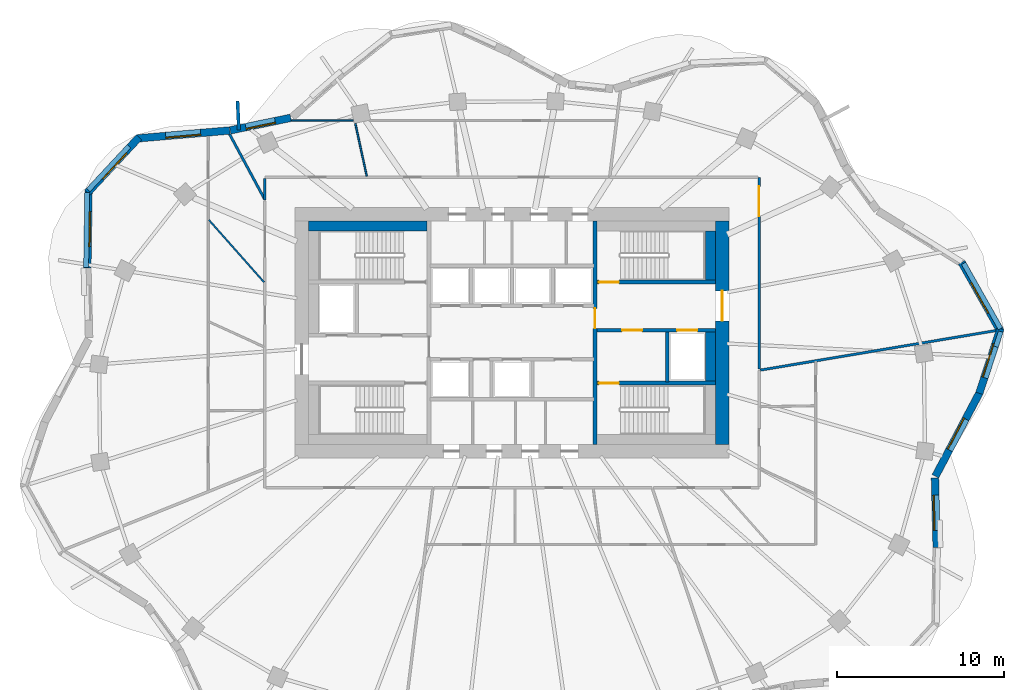
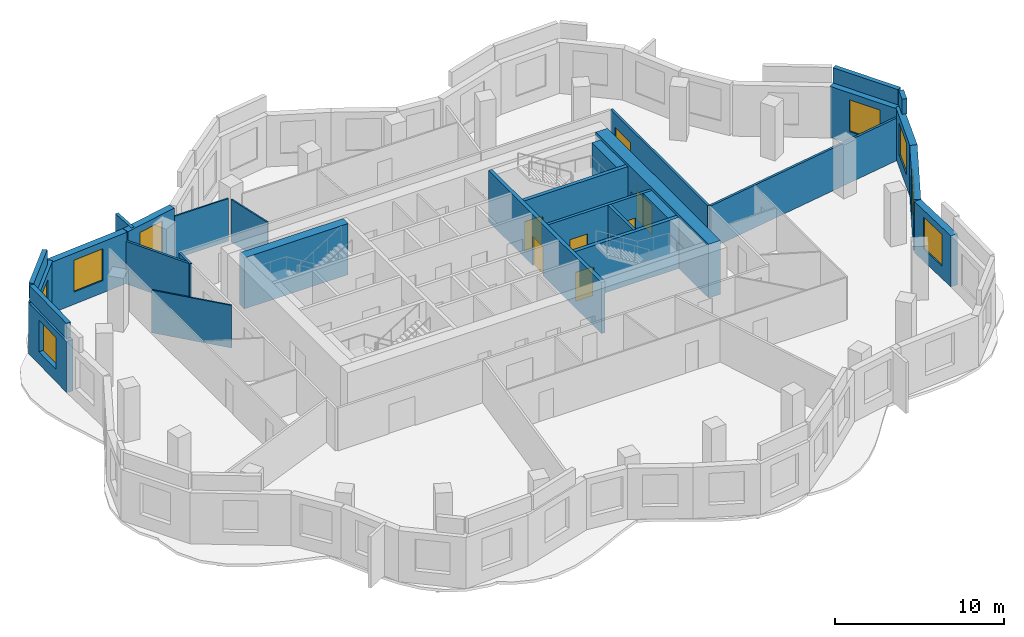
# One storey, part 6 of 9: 29 walls, 8 windows, 7 doors, 15 openings.
"""IFC4 building model written with IfcOpenShell, lengths in metres."""

from ifc_helpers import new_model, si_unit, direction, frame, frame_2d, origin, place, context, subcontext, project, spatial, rectangle, extrude, material, layer, layer_set, type_object, element, fill, save


model = new_model("IFC4")

# Units and contexts
model_context = context("Model", 3, precision=1e-05, world=origin(), true_north=direction((0.0, 1.0)))
body_context = subcontext(model_context, "Body", "Model", "MODEL_VIEW")
ifc_project = project(units=[si_unit("LENGTHUNIT", "METRE"), si_unit("AREAUNIT", "SQUARE_METRE"), si_unit("VOLUMEUNIT", "CUBIC_METRE"), si_unit("PLANEANGLEUNIT", "RADIAN"), si_unit("MASSUNIT", "GRAM", prefix="KILO")], contexts=[model_context])

# Site, building, storey
site_placement = place(None, origin())
site = spatial("IfcSite", under=ifc_project, at=site_placement, CompositionType="ELEMENT")
building_placement = place(site_placement, origin())
building = spatial("IfcBuilding", under=site, at=building_placement, Name="Rubra Terraces Tower", CompositionType="ELEMENT")
storey_placement = place(building_placement, frame((0.0, 0.0, 244.800048828125)))
storey = spatial("IfcBuildingStorey", under=building, at=storey_placement, Name="L60", CompositionType="ELEMENT", Elevation=244.800048828125)

# Wall, opening, window
ifc_material_1 = material(Name="Brick masonry red-brown", Category="masonry")
ifc_layer_1 = layer(ifc_material_1, 0.449951171875)
ifc_layer_set_1 = layer_set([ifc_layer_1], Name="Brick masonry red-brown")
wall_type_1 = type_object("IfcWallType", Name="Brick facade wall 450", PredefinedType="SOLIDWALL", material=ifc_layer_set_1)
wall_1_placement = place(storey_placement, frame((27.99462890625, 0.861083984375, 0.0), z_axis=(0.0, 0.0, 1.0), x_axis=(0.310693110673, 0.950510279261, 0.0)))
wall_1 = element("IfcWall", 1, at=wall_1_placement, inside=storey, type_object=wall_type_1, Name="Facade wall L60 bay 1", PredefinedType="SOLIDWALL", context=body_context, shape_type="SweptSolid", body=[
    extrude(rectangle(XDim=4.079833984375, YDim=0.449951171875, at=frame_2d((2.0400390625, 0.0))), origin(), (0.0, 0.0, 1.0), 3.699951171875),
])
opening_1_placement = place(wall_1_placement, frame((0.989990234375, 0.0, 0.89990234375)))
opening_1 = element("IfcOpeningElement", 2, at=opening_1_placement, cuts=wall_1, Name="Opening W1B", PredefinedType="OPENING", context=body_context, shape_type="SweptSolid", body=[
    extrude(rectangle(XDim=2.10009765625, YDim=2.300048828125, at=frame_2d((1.050048828125, 1.14990234375))), frame((0.0, 0.23486328125, 0.0), z_axis=(0.0, -1.0, 0.0), x_axis=(1.0, 0.0, 0.0)), (0.0, 0.0, 1.0), 0.469970703125),
])
ifc_material_2 = material(Name="Clear glass in aluminium frame", Category="aluminium")
window_type_1 = type_object("IfcWindowType", Name="Fixed deep-set window tall storey 2100 x 2300", PartitioningType="SINGLE_PANEL", PredefinedType="WINDOW", material=ifc_material_2)
window_1_placement = place(opening_1_placement, origin())
window_1 = element("IfcWindow", 3, at=window_1_placement, inside=storey, type_object=window_type_1, Name="Window L60 bay 1", OverallHeight=2.300048828125, OverallWidth=2.10009765625, PartitioningType="SINGLE_PANEL", PredefinedType="WINDOW", context=body_context, shape_type="SweptSolid", body=[
    extrude(rectangle(XDim=2.10009765625, YDim=2.300048828125, at=frame_2d((1.050048828125, 1.14990234375))), frame((0.0, 0.135009765625, 0.0), z_axis=(0.0, -1.0, 0.0), x_axis=(1.0, 0.0, 0.0)), (0.0, 0.0, 1.0), 0.06005859375),
])
fill(opening_1, window_1)

wall_2_placement = place(storey_placement, frame((29.280029296875, 4.558349609375, 0.0), z_axis=(0.0, 0.0, 1.0), x_axis=(-0.491511608999, 0.870871022723, 0.0)))
wall_2 = element("IfcWall", 4, at=wall_2_placement, inside=storey, type_object=wall_type_1, Name="Facade wall L60 bay 2", PredefinedType="SOLIDWALL", context=body_context, shape_type="SweptSolid", body=[
    extrude(rectangle(XDim=4.762939453125, YDim=0.449951171875, at=frame_2d((2.38134765625, 0.0))), origin(), (0.0, 0.0, 1.0), 3.699951171875),
])
opening_2_placement = place(wall_2_placement, frame((1.33154296875, 0.0, 0.89990234375)))
opening_2 = element("IfcOpeningElement", 5, at=opening_2_placement, cuts=wall_2, Name="Opening W1B", PredefinedType="OPENING", context=body_context, shape_type="SweptSolid", body=[
    extrude(rectangle(XDim=2.10009765625, YDim=2.300048828125, at=frame_2d((1.050048828125, 1.14990234375))), frame((0.0, 0.23486328125, 0.0), z_axis=(0.0, -1.0, 0.0), x_axis=(1.0, 0.0, 0.0)), (0.0, 0.0, 1.0), 0.469970703125),
])
window_2_placement = place(opening_2_placement, origin())
window_2 = element("IfcWindow", 6, at=window_2_placement, inside=storey, type_object=window_type_1, Name="Window L60 bay 2", OverallHeight=2.300048828125, OverallWidth=2.10009765625, PartitioningType="SINGLE_PANEL", PredefinedType="WINDOW", context=body_context, shape_type="SweptSolid", body=[
    extrude(rectangle(XDim=2.10009765625, YDim=2.300048828125, at=frame_2d((1.050048828125, 1.14990234375))), frame((0.0, 0.135009765625, 0.0), z_axis=(0.0, -1.0, 0.0), x_axis=(1.0, 0.0, 0.0)), (0.0, 0.0, 1.0), 0.06005859375),
])
fill(opening_2, window_2)

wall_3_placement = place(storey_placement, frame((-13.2578125, 17.3671875, 0.0), z_axis=(0.0, 0.0, 1.0), x_axis=(-0.97914968674, -0.203140077183, 0.0)))
wall_3 = element("IfcWall", 7, at=wall_3_placement, inside=storey, type_object=wall_type_1, Name="Facade wall L60 bay 15", PredefinedType="SOLIDWALL", context=body_context, shape_type="SweptSolid", body=[
    extrude(rectangle(XDim=3.700439453125, YDim=0.449951171875, at=frame_2d((1.85009765625, 0.0))), origin(), (0.0, 0.0, 1.0), 3.699951171875),
])
opening_3_placement = place(wall_3_placement, frame((0.9501953125, 0.0, 0.89990234375)))
opening_3 = element("IfcOpeningElement", 8, at=opening_3_placement, cuts=wall_3, Name="Opening W6B", PredefinedType="OPENING", context=body_context, shape_type="SweptSolid", body=[
    extrude(rectangle(XDim=1.800048828125, YDim=2.300048828125, at=frame_2d((0.89990234375, 1.14990234375))), frame((0.0, 0.23486328125, 0.0), z_axis=(0.0, -1.0, 0.0), x_axis=(1.0, 0.0, 0.0)), (0.0, 0.0, 1.0), 0.469970703125),
])
window_type_2 = type_object("IfcWindowType", Name="Fixed deep-set window at wind fin tall storey 1800 x 2300", PartitioningType="SINGLE_PANEL", PredefinedType="WINDOW", material=ifc_material_2)
window_3_placement = place(opening_3_placement, origin())
window_3 = element("IfcWindow", 9, at=window_3_placement, inside=storey, type_object=window_type_2, Name="Window L60 bay 15", OverallHeight=2.300048828125, OverallWidth=1.800048828125, PartitioningType="SINGLE_PANEL", PredefinedType="WINDOW", context=body_context, shape_type="SweptSolid", body=[
    extrude(rectangle(XDim=1.800048828125, YDim=2.300048828125, at=frame_2d((0.89990234375, 1.14990234375))), frame((0.0, 0.135009765625, 0.0), z_axis=(0.0, -1.0, 0.0), x_axis=(1.0, 0.0, 0.0)), (0.0, 0.0, 1.0), 0.06005859375),
])
fill(opening_3, window_3)

wall_4_placement = place(storey_placement, frame((-16.91015625, 16.610107421875, 0.0), z_axis=(0.0, 0.0, 1.0), x_axis=(-0.996333165816, -0.085558299972, 0.0)))
wall_4 = element("IfcWall", 10, at=wall_4_placement, inside=storey, type_object=wall_type_1, Name="Facade wall L60 bay 16", PredefinedType="SOLIDWALL", context=body_context, shape_type="SweptSolid", body=[
    extrude(rectangle(XDim=5.595703125, YDim=0.449951171875, at=frame_2d((2.7978515625, 0.0))), origin(), (0.0, 0.0, 1.0), 3.699951171875),
])
opening_4_placement = place(wall_4_placement, frame((1.747802734375, 0.0, 0.89990234375)))
opening_4 = element("IfcOpeningElement", 11, at=opening_4_placement, cuts=wall_4, Name="Opening W1B", PredefinedType="OPENING", context=body_context, shape_type="SweptSolid", body=[
    extrude(rectangle(XDim=2.10009765625, YDim=2.300048828125, at=frame_2d((1.050048828125, 1.14990234375))), frame((0.0, 0.23486328125, 0.0), z_axis=(0.0, -1.0, 0.0), x_axis=(1.0, 0.0, 0.0)), (0.0, 0.0, 1.0), 0.469970703125),
])
window_4_placement = place(opening_4_placement, origin())
window_4 = element("IfcWindow", 12, at=window_4_placement, inside=storey, type_object=window_type_1, Name="Window L60 bay 16", OverallHeight=2.300048828125, OverallWidth=2.10009765625, PartitioningType="SINGLE_PANEL", PredefinedType="WINDOW", context=body_context, shape_type="SweptSolid", body=[
    extrude(rectangle(XDim=2.10009765625, YDim=2.300048828125, at=frame_2d((1.050048828125, 1.14990234375))), frame((0.0, 0.135009765625, 0.0), z_axis=(0.0, -1.0, 0.0), x_axis=(1.0, 0.0, 0.0)), (0.0, 0.0, 1.0), 0.06005859375),
])
fill(opening_4, window_4)

wall_5_placement = place(storey_placement, frame((-22.34521484375, 16.20166015625, 0.0), z_axis=(0.0, 0.0, 1.0), x_axis=(-0.681249161265, -0.732051624051, 0.0)))
wall_5 = element("IfcWall", 13, at=wall_5_placement, inside=storey, type_object=wall_type_1, Name="Facade wall L60 bay 17", PredefinedType="SOLIDWALL", context=body_context, shape_type="SweptSolid", body=[
    extrude(rectangle(XDim=4.52685546875, YDim=0.449951171875, at=frame_2d((2.263427734375, 0.0))), origin(), (0.0, 0.0, 1.0), 3.699951171875),
])
opening_5_placement = place(wall_5_placement, frame((1.21337890625, 0.0, 0.89990234375)))
opening_5 = element("IfcOpeningElement", 14, at=opening_5_placement, cuts=wall_5, Name="Opening W1B", PredefinedType="OPENING", context=body_context, shape_type="SweptSolid", body=[
    extrude(rectangle(XDim=2.10009765625, YDim=2.300048828125, at=frame_2d((1.050048828125, 1.14990234375))), frame((0.0, 0.23486328125, 0.0), z_axis=(0.0, -1.0, 0.0), x_axis=(1.0, 0.0, 0.0)), (0.0, 0.0, 1.0), 0.469970703125),
])
window_5_placement = place(opening_5_placement, origin())
window_5 = element("IfcWindow", 15, at=window_5_placement, inside=storey, type_object=window_type_1, Name="Window L60 bay 17", OverallHeight=2.300048828125, OverallWidth=2.10009765625, PartitioningType="SINGLE_PANEL", PredefinedType="WINDOW", context=body_context, shape_type="SweptSolid", body=[
    extrude(rectangle(XDim=2.10009765625, YDim=2.300048828125, at=frame_2d((1.050048828125, 1.14990234375))), frame((0.0, 0.135009765625, 0.0), z_axis=(0.0, -1.0, 0.0), x_axis=(1.0, 0.0, 0.0)), (0.0, 0.0, 1.0), 0.06005859375),
])
fill(opening_5, window_5)

wall_6_placement = place(storey_placement, frame((-25.369140625, 13.031982421875, 0.0), z_axis=(0.0, 0.0, 1.0), x_axis=(-0.015383599855, -0.999881665426, 0.0)))
wall_6 = element("IfcWall", 16, at=wall_6_placement, inside=storey, type_object=wall_type_1, Name="Facade wall L60 bay 18", PredefinedType="SOLIDWALL", context=body_context, shape_type="SweptSolid", body=[
    extrude(rectangle(XDim=4.665771484375, YDim=0.449951171875, at=frame_2d((2.3330078125, 0.0))), origin(), (0.0, 0.0, 1.0), 3.699951171875),
])
opening_6_placement = place(wall_6_placement, frame((1.282958984375, 0.0, 0.89990234375)))
opening_6 = element("IfcOpeningElement", 17, at=opening_6_placement, cuts=wall_6, Name="Opening W1B", PredefinedType="OPENING", context=body_context, shape_type="SweptSolid", body=[
    extrude(rectangle(XDim=2.10009765625, YDim=2.300048828125, at=frame_2d((1.050048828125, 1.14990234375))), frame((0.0, 0.23486328125, 0.0), z_axis=(0.0, -1.0, 0.0), x_axis=(1.0, 0.0, 0.0)), (0.0, 0.0, 1.0), 0.469970703125),
])
window_6_placement = place(opening_6_placement, origin())
window_6 = element("IfcWindow", 18, at=window_6_placement, inside=storey, type_object=window_type_1, Name="Window L60 bay 18", OverallHeight=2.300048828125, OverallWidth=2.10009765625, PartitioningType="SINGLE_PANEL", PredefinedType="WINDOW", context=body_context, shape_type="SweptSolid", body=[
    extrude(rectangle(XDim=2.10009765625, YDim=2.300048828125, at=frame_2d((1.050048828125, 1.14990234375))), frame((0.0, 0.135009765625, 0.0), z_axis=(0.0, -1.0, 0.0), x_axis=(1.0, 0.0, 0.0)), (0.0, 0.0, 1.0), 0.06005859375),
])
fill(opening_6, window_6)

wall_7_placement = place(storey_placement, frame((25.44091796875, -8.375, 0.0), z_axis=(0.0, 0.0, 1.0), x_axis=(-0.024385850259, 0.999702620936, 0.0)))
wall_7 = element("IfcWall", 19, at=wall_7_placement, inside=storey, type_object=wall_type_1, Name="Facade wall L60 bay 39", PredefinedType="SOLIDWALL", context=body_context, shape_type="SweptSolid", body=[
    extrude(rectangle(XDim=4.164794921875, YDim=0.449951171875, at=frame_2d((2.08251953125, 0.0))), origin(), (0.0, 0.0, 1.0), 3.699951171875),
])
opening_7_placement = place(wall_7_placement, frame((1.032470703125, 0.0, 0.89990234375)))
opening_7 = element("IfcOpeningElement", 20, at=opening_7_placement, cuts=wall_7, Name="Opening W1B", PredefinedType="OPENING", context=body_context, shape_type="SweptSolid", body=[
    extrude(rectangle(XDim=2.10009765625, YDim=2.300048828125, at=frame_2d((1.050048828125, 1.14990234375))), frame((0.0, 0.23486328125, 0.0), z_axis=(0.0, -1.0, 0.0), x_axis=(1.0, 0.0, 0.0)), (0.0, 0.0, 1.0), 0.469970703125),
])
window_7_placement = place(opening_7_placement, origin())
window_7 = element("IfcWindow", 21, at=window_7_placement, inside=storey, type_object=window_type_1, Name="Window L60 bay 39", OverallHeight=2.300048828125, OverallWidth=2.10009765625, PartitioningType="SINGLE_PANEL", PredefinedType="WINDOW", context=body_context, shape_type="SweptSolid", body=[
    extrude(rectangle(XDim=2.10009765625, YDim=2.300048828125, at=frame_2d((1.050048828125, 1.14990234375))), frame((0.0, 0.135009765625, 0.0), z_axis=(0.0, -1.0, 0.0), x_axis=(1.0, 0.0, 0.0)), (0.0, 0.0, 1.0), 0.06005859375),
])
fill(opening_7, window_7)

wall_8_placement = place(storey_placement, frame((25.365478515625, -4.10693359375, 0.0), z_axis=(0.0, 0.0, 1.0), x_axis=(0.467239399168, 0.884130840919, 0.0)))
wall_8 = element("IfcWall", 22, at=wall_8_placement, inside=storey, type_object=wall_type_1, Name="Facade wall L60 bay 40", PredefinedType="SOLIDWALL", context=body_context, shape_type="SweptSolid", body=[
    extrude(rectangle(XDim=5.658935546875, YDim=0.449951171875, at=frame_2d((2.82958984375, 0.0))), origin(), (0.0, 0.0, 1.0), 3.699951171875),
])
opening_8_placement = place(wall_8_placement, frame((1.779296875, 0.0, 0.89990234375)))
opening_8 = element("IfcOpeningElement", 23, at=opening_8_placement, cuts=wall_8, Name="Opening W1B", PredefinedType="OPENING", context=body_context, shape_type="SweptSolid", body=[
    extrude(rectangle(XDim=2.10009765625, YDim=2.300048828125, at=frame_2d((1.050048828125, 1.14990234375))), frame((0.0, 0.23486328125, 0.0), z_axis=(0.0, -1.0, 0.0), x_axis=(1.0, 0.0, 0.0)), (0.0, 0.0, 1.0), 0.469970703125),
])
window_8_placement = place(opening_8_placement, origin())
window_8 = element("IfcWindow", 24, at=window_8_placement, inside=storey, type_object=window_type_1, Name="Window L60 bay 40", OverallHeight=2.300048828125, OverallWidth=2.10009765625, PartitioningType="SINGLE_PANEL", PredefinedType="WINDOW", context=body_context, shape_type="SweptSolid", body=[
    extrude(rectangle(XDim=2.10009765625, YDim=2.300048828125, at=frame_2d((1.050048828125, 1.14990234375))), frame((0.0, 0.135009765625, 0.0), z_axis=(0.0, -1.0, 0.0), x_axis=(1.0, 0.0, 0.0)), (0.0, 0.0, 1.0), 0.06005859375),
])
fill(opening_8, window_8)

# Walls
ifc_layer_2 = layer(ifc_material_1, 0.300048828125)
ifc_layer_set_2 = layer_set([ifc_layer_2], Name="Brick masonry red-brown")
wall_type_2 = type_object("IfcWallType", Name="Brick parapet 300", PredefinedType="PARAPET", material=ifc_layer_set_2)
wall_9_placement = place(storey_placement, frame((28.987548828125, 3.657470703125, 3.89990234375), z_axis=(0.0, 0.0, 1.0), x_axis=(0.310832502734, 0.950464704891, 0.0)))
element("IfcWall", 25, at=wall_9_placement, inside=storey, type_object=wall_type_2, Name="Parapet L60 bay 1", PredefinedType="PARAPET", context=body_context, shape_type="SweptSolid", body=[
    extrude(rectangle(XDim=0.951171875, YDim=0.300048828125, at=frame_2d((0.4755859375, 0.0))), origin(), (0.0, 0.0, 1.0), 1.10009765625),
])
wall_10_placement = place(storey_placement, frame((29.265625, 4.736572265625, 3.89990234375), z_axis=(0.0, 0.0, 1.0), x_axis=(-0.491480740547, 0.870888443873, 0.0)))
element("IfcWall", 26, at=wall_10_placement, inside=storey, type_object=wall_type_2, Name="Parapet L60 bay 2", PredefinedType="PARAPET", context=body_context, shape_type="SweptSolid", body=[
    extrude(rectangle(XDim=4.494140625, YDim=0.300048828125, at=frame_2d((2.2470703125, 0.0))), origin(), (0.0, 0.0, 1.0), 1.10009765625),
])
wall_11_placement = place(storey_placement, frame((-22.947509765625, 15.66455078125, 3.89990234375), z_axis=(0.0, 0.0, 1.0), x_axis=(-0.681269800001, -0.732032417046, 0.0)))
element("IfcWall", 27, at=wall_11_placement, inside=storey, type_object=wall_type_2, Name="Parapet L60 bay 17", PredefinedType="PARAPET", context=body_context, shape_type="SweptSolid", body=[
    extrude(rectangle(XDim=3.578125, YDim=0.300048828125, at=frame_2d((1.7890625, 0.0))), origin(), (0.0, 0.0, 1.0), 1.10009765625),
])
wall_12_placement = place(storey_placement, frame((-25.4462890625, 12.893310546875, 3.89990234375), z_axis=(0.0, 0.0, 1.0), x_axis=(-0.015386139974, -0.999881626342, 0.0)))
element("IfcWall", 28, at=wall_12_placement, inside=storey, type_object=wall_type_2, Name="Parapet L60 bay 18", PredefinedType="PARAPET", context=body_context, shape_type="SweptSolid", body=[
    extrude(rectangle(XDim=4.490478515625, YDim=0.300048828125, at=frame_2d((2.2451171875, 0.0))), origin(), (0.0, 0.0, 1.0), 1.10009765625),
])
ifc_layer_3 = layer(ifc_material_1, 0.199951171875)
ifc_layer_set_3 = layer_set([ifc_layer_3], Name="Brick masonry red-brown")
wall_type_3 = type_object("IfcWallType", Name="Brick wind fin 200", PredefinedType="SOLIDWALL", material=ifc_layer_set_3)
wall_13_placement = place(storey_placement, frame((-16.361083984375, 16.635986328125, 0.0), z_axis=(0.0, 0.0, 1.0), x_axis=(-0.048552811097, 0.998820616795, 0.0)))
element("IfcWall", 29, at=wall_13_placement, inside=storey, type_object=wall_type_3, Name="Wind fin L60 9", PredefinedType="SOLIDWALL", context=body_context, shape_type="SweptSolid", body=[
    extrude(rectangle(XDim=1.749755859375, YDim=0.199951171875, at=frame_2d((0.875, 0.0))), origin(), (0.0, 0.0, 1.0), 3.699951171875),
])

# Wall, opening, door
ifc_material_3 = material(Name="Concrete C50", Category="concrete")
ifc_layer_4 = layer(ifc_material_3, 0.800048828125)
ifc_layer_set_4 = layer_set([ifc_layer_4], Name="Concrete C50")
wall_type_4 = type_object("IfcWallType", Name="CORE WALL 800 C50", PredefinedType="SHEAR", material=ifc_layer_set_4)
wall_14_placement = place(storey_placement, frame((12.60009765625, -2.199951171875, 0.0), z_axis=(0.0, 0.0, 1.0), x_axis=(0.0, 1.0, 0.0)))
wall_14 = element("IfcWall", 30, at=wall_14_placement, inside=storey, type_object=wall_type_4, Name="CORE WALL E L60", PredefinedType="SHEAR", context=body_context, shape_type="SweptSolid", body=[
    extrude(rectangle(XDim=13.39990234375, YDim=0.800048828125, at=frame_2d((6.699951171875, 0.0))), origin(), (0.0, 0.0, 1.0), 3.89990234375),
])
opening_9_placement = place(wall_14_placement, frame((7.39990234375, 0.0, 0.0)))
opening_9 = element("IfcOpeningElement", 31, at=opening_9_placement, cuts=wall_14, Name="Opening L60.C02", PredefinedType="OPENING", context=body_context, shape_type="SweptSolid", body=[
    extrude(rectangle(XDim=1.800048828125, YDim=2.10009765625, at=frame_2d((0.89990234375, 1.050048828125))), frame((0.0, 0.409912109375, 0.0), z_axis=(0.0, -1.0, 0.0), x_axis=(1.0, 0.0, 0.0)), (0.0, 0.0, 1.0), 0.820068359375),
])
ifc_material_4 = material(Name="Painted steel", Category="steel")
door_type_1 = type_object("IfcDoorType", Name="Fire door 1800x2100 double", OperationType="NOTDEFINED", PredefinedType="DOOR", material=ifc_material_4)
door_1_placement = place(opening_9_placement, origin())
door_1 = element("IfcDoor", 32, at=door_1_placement, inside=storey, type_object=door_type_1, Name="Core entrance door FF2", OperationType="DOUBLE_DOOR_SINGLE_SWING", OverallHeight=2.10009765625, OverallWidth=1.800048828125, PredefinedType="DOOR", context=body_context, shape_type="SweptSolid", body=[
    extrude(rectangle(XDim=1.800048828125, YDim=2.10009765625, at=frame_2d((0.89990234375, 1.050048828125))), frame((0.0, 0.02490234375, 0.0), z_axis=(0.0, -1.0, 0.0), x_axis=(1.0, 0.0, 0.0)), (0.0, 0.0, 1.0), 0.050048828125),
])
fill(opening_9, door_1)

ifc_material_5 = material(Name="Plasterboard on steel stud, mineral wool infill", Category="steel")
ifc_layer_5 = layer(ifc_material_5, 0.14990234375)
ifc_layer_set_5 = layer_set([ifc_layer_5], Name="Plasterboard on steel stud, mineral wool infill")
wall_type_5 = type_object("IfcWallType", Name="CORRIDOR PARTITION 150", PredefinedType="PARTITIONING", material=ifc_layer_set_5)
wall_15_placement = place(storey_placement, frame((14.800048828125, 2.315185546875, 0.0), z_axis=(0.0, 0.0, 1.0), x_axis=(0.0, 1.0, 0.0)))
wall_15 = element("IfcWall", 33, at=wall_15_placement, inside=storey, type_object=wall_type_5, Name="PARTITION", PredefinedType="PARTITIONING", context=body_context, shape_type="SweptSolid", body=[
    extrude(rectangle(XDim=11.48486328125, YDim=0.14990234375, at=frame_2d((5.742431640625, 0.0))), origin(), (0.0, 0.0, 1.0), 3.083984375),
])
opening_10_placement = place(wall_15_placement, frame((9.14990234375, 0.0, 0.0)))
opening_10 = element("IfcOpeningElement", 34, at=opening_10_placement, cuts=wall_15, Name="Opening 60-111", PredefinedType="OPENING", context=body_context, shape_type="SweptSolid", body=[
    extrude(rectangle(XDim=1.800048828125, YDim=2.10009765625, at=frame_2d((0.89990234375, 1.050048828125))), frame((0.0, 0.0849609375, 0.0), z_axis=(0.0, -1.0, 0.0), x_axis=(1.0, 0.0, 0.0)), (0.0, 0.0, 1.0), 0.169921875),
])
ifc_material_6 = material(Name="Painted timber door leaf, double", Category="wood")
door_type_2 = type_object("IfcDoorType", Name="ROOM DOUBLE DOOR 1800 X 2100", OperationType="DOUBLE_DOOR_SINGLE_SWING", PredefinedType="DOOR", material=ifc_material_6)
door_2_placement = place(opening_10_placement, origin())
door_2 = element("IfcDoor", 35, at=door_2_placement, inside=storey, type_object=door_type_2, Name="DOOR 60-111", OperationType="DOUBLE_DOOR_SINGLE_SWING", OverallHeight=2.10009765625, OverallWidth=1.800048828125, PredefinedType="DOOR", context=body_context, shape_type="SweptSolid", body=[
    extrude(rectangle(XDim=1.800048828125, YDim=2.10009765625, at=frame_2d((0.89990234375, 1.050048828125))), frame((0.0, 0.02490234375, 0.0), z_axis=(0.0, -1.0, 0.0), x_axis=(1.0, 0.0, 0.0)), (0.0, 0.0, 1.0), 0.050048828125),
])
fill(opening_10, door_2)

# Walls
wall_16_placement = place(storey_placement, frame((-14.800048828125, 13.72509765625, 0.0), z_axis=(0.0, 0.0, 1.0), x_axis=(0.0, -1.0, 0.0)))
element("IfcWall", 36, at=wall_16_placement, inside=storey, type_object=wall_type_5, Name="PARTITION", PredefinedType="PARTITIONING", context=body_context, shape_type="SweptSolid", body=[
    extrude(rectangle(XDim=1.274169921875, YDim=0.14990234375, at=frame_2d((0.63720703125, 0.0))), origin(), (0.0, 0.0, 1.0), 3.083984375),
])
ifc_material_7 = material(Name="Concrete C40", Category="concrete")
ifc_layer_6 = layer(ifc_material_7, 0.60009765625)
ifc_layer_set_6 = layer_set([ifc_layer_6], Name="Concrete C40")
wall_type_6 = type_object("IfcWallType", Name="Core lining wall 600 concrete", PredefinedType="SOLIDWALL", material=ifc_layer_set_6)
wall_17_placement = place(storey_placement, frame((-12.199951171875, 10.89990234375, 0.0), z_axis=(0.0, 0.0, 1.0), x_axis=(1.0, 0.0, 0.0)))
element("IfcWall", 37, at=wall_17_placement, inside=storey, type_object=wall_type_6, Name="CORE LINING WALL L60", PredefinedType="SOLIDWALL", context=body_context, shape_type="SweptSolid", body=[
    extrude(rectangle(XDim=7.099853515625, YDim=0.60009765625, at=frame_2d((3.5498046875, 0.0))), origin(), (0.0, 0.0, 1.0), 3.699951171875),
])
wall_18_placement = place(storey_placement, frame((11.89990234375, 10.60009765625, 0.0), z_axis=(0.0, 0.0, 1.0), x_axis=(0.0, -1.0, 0.0)))
element("IfcWall", 38, at=wall_18_placement, inside=storey, type_object=wall_type_6, Name="CORE LINING WALL L60", PredefinedType="SOLIDWALL", context=body_context, shape_type="SweptSolid", body=[
    extrude(rectangle(XDim=2.9501953125, YDim=0.60009765625, at=frame_2d((1.47509765625, 0.0))), origin(), (0.0, 0.0, 1.0), 3.699951171875),
])
wall_19_placement = place(storey_placement, frame((11.89990234375, 4.550048828125, 0.0), z_axis=(0.0, 0.0, 1.0), x_axis=(0.0, -1.0, 0.0)))
element("IfcWall", 39, at=wall_19_placement, inside=storey, type_object=wall_type_6, Name="CORE LINING WALL L60", PredefinedType="SOLIDWALL", context=body_context, shape_type="SweptSolid", body=[
    extrude(rectangle(XDim=3.0, YDim=0.60009765625, at=frame_2d((1.5, 0.0))), origin(), (0.0, 0.0, 1.0), 3.699951171875),
])

# Wall, openings, doors
ifc_material_8 = material(Name="Concrete C30", Category="concrete")
ifc_layer_7 = layer(ifc_material_8, 0.199951171875)
ifc_layer_set_7 = layer_set([ifc_layer_7], Name="Concrete C30")
wall_type_7 = type_object("IfcWallType", Name="Core wall 200 concrete", PredefinedType="SOLIDWALL", material=ifc_layer_set_7)
wall_20_placement = place(storey_placement, frame((12.199951171875, 4.64990234375, 0.0), z_axis=(0.0, 0.0, 1.0), x_axis=(-1.0, 0.0, 0.0)))
wall_20 = element("IfcWall", 40, at=wall_20_placement, inside=storey, type_object=wall_type_7, Name="STAIR WALL L60", PredefinedType="SOLIDWALL", context=body_context, shape_type="SweptSolid", body=[
    extrude(rectangle(XDim=7.099853515625, YDim=0.199951171875, at=frame_2d((3.5498046875, 0.0))), origin(), (0.0, 0.0, 1.0), 3.699951171875),
])
opening_11_placement = place(wall_20_placement, frame((4.39990234375, 0.0, 0.0)))
opening_11 = element("IfcOpeningElement", 41, at=opening_11_placement, cuts=wall_20, Name="Opening L60.C06", PredefinedType="OPENING", context=body_context, shape_type="SweptSolid", body=[
    extrude(rectangle(XDim=1.199951171875, YDim=2.10009765625, at=frame_2d((0.60009765625, 1.050048828125))), frame((0.0, 0.10986328125, 0.0), z_axis=(0.0, -1.0, 0.0), x_axis=(1.0, 0.0, 0.0)), (0.0, 0.0, 1.0), 0.219970703125),
])
opening_12_placement = place(wall_20_placement, frame((1.10009765625, 0.0, 0.0)))
opening_12 = element("IfcOpeningElement", 42, at=opening_12_placement, cuts=wall_20, Name="Opening L60.C12", PredefinedType="OPENING", context=body_context, shape_type="SweptSolid", body=[
    extrude(rectangle(XDim=1.199951171875, YDim=2.10009765625, at=frame_2d((0.60009765625, 1.050048828125))), frame((0.0, 0.10986328125, 0.0), z_axis=(0.0, -1.0, 0.0), x_axis=(1.0, 0.0, 0.0)), (0.0, 0.0, 1.0), 0.219970703125),
])
door_type_3 = type_object("IfcDoorType", Name="Fire door 1200x2100 single", OperationType="NOTDEFINED", PredefinedType="DOOR", material=ifc_material_4)
door_3_placement = place(opening_11_placement, origin())
door_3 = element("IfcDoor", 43, at=door_3_placement, inside=storey, type_object=door_type_3, Name="Stair vestibule door S4", OperationType="SINGLE_SWING_RIGHT", OverallHeight=2.10009765625, OverallWidth=1.199951171875, PredefinedType="DOOR", context=body_context, shape_type="SweptSolid", body=[
    extrude(rectangle(XDim=1.199951171875, YDim=2.10009765625, at=frame_2d((0.60009765625, 1.050048828125))), frame((0.0, 0.02490234375, 0.0), z_axis=(0.0, -1.0, 0.0), x_axis=(1.0, 0.0, 0.0)), (0.0, 0.0, 1.0), 0.050048828125),
])
fill(opening_11, door_3)
ifc_material_9 = material(Name="Stainless steel", Category="steel")
door_type_4 = type_object("IfcDoorType", Name="Lift landing door 1200x2100", OperationType="NOTDEFINED", PredefinedType="DOOR", material=ifc_material_9)
door_4_placement = place(opening_12_placement, origin())
door_4 = element("IfcDoor", 44, at=door_4_placement, inside=storey, type_object=door_type_4, Name="Landing door FF2", OperationType="SLIDING_TO_RIGHT", OverallHeight=2.10009765625, OverallWidth=1.199951171875, PredefinedType="DOOR", context=body_context, shape_type="SweptSolid", body=[
    extrude(rectangle(XDim=1.199951171875, YDim=2.10009765625, at=frame_2d((0.60009765625, 1.050048828125))), frame((0.0, 0.02490234375, 0.0), z_axis=(0.0, -1.0, 0.0), x_axis=(1.0, 0.0, 0.0)), (0.0, 0.0, 1.0), 0.050048828125),
])
fill(opening_12, door_4)

# Walls
wall_21_placement = place(storey_placement, frame((9.300048828125, 4.550048828125, 0.0), z_axis=(0.0, 0.0, 1.0), x_axis=(0.0, -1.0, 0.0)))
element("IfcWall", 45, at=wall_21_placement, inside=storey, type_object=wall_type_7, Name="STAIR WALL L60", PredefinedType="SOLIDWALL", context=body_context, shape_type="SweptSolid", body=[
    extrude(rectangle(XDim=3.0, YDim=0.199951171875, at=frame_2d((1.5, 0.0))), origin(), (0.0, 0.0, 1.0), 3.699951171875),
])
ifc_material_10 = material(Name="Plasterboard on steel stud", Category="steel")
ifc_layer_8 = layer(ifc_material_10, 0.10009765625)
ifc_layer_set_8 = layer_set([ifc_layer_8], Name="Plasterboard on steel stud")
wall_type_8 = type_object("IfcWallType", Name="ROOM PARTITION 100", PredefinedType="PARTITIONING", material=ifc_layer_set_8)
wall_22_placement = place(storey_placement, frame((-13.213134765625, 17.199951171875, 0.0), z_axis=(0.0, 0.0, 1.0), x_axis=(1.0, 0.0, 0.0)))
element("IfcWall", 46, at=wall_22_placement, inside=storey, type_object=wall_type_8, Name="PARTITION", PredefinedType="PARTITIONING", context=body_context, shape_type="SweptSolid", body=[
    extrude(rectangle(XDim=3.709716796875, YDim=0.10009765625, at=frame_2d((1.85498046875, 0.0))), origin(), (0.0, 0.0, 1.0), 3.083984375),
])
wall_23_placement = place(storey_placement, frame((-8.7001953125, 13.873291015625, 0.0), z_axis=(0.0, 0.0, 1.0), x_axis=(-0.212558538076, 0.977148334641, 0.0)))
element("IfcWall", 47, at=wall_23_placement, inside=storey, type_object=wall_type_8, Name="PARTITION", PredefinedType="PARTITIONING", context=body_context, shape_type="SweptSolid", body=[
    extrude(rectangle(XDim=3.22412109375, YDim=0.10009765625, at=frame_2d((1.612060546875, 0.0))), origin(), (0.0, 0.0, 1.0), 3.083984375),
])
wall_24_placement = place(storey_placement, frame((-14.849609375, 7.513916015625, 0.0), z_axis=(0.0, 0.0, 1.0), x_axis=(-0.663136045348, 0.748498888015, 0.0)))
element("IfcWall", 48, at=wall_24_placement, inside=storey, type_object=wall_type_8, Name="PARTITION", PredefinedType="PARTITIONING", context=body_context, shape_type="SweptSolid", body=[
    extrude(rectangle(XDim=5.002197265625, YDim=0.10009765625, at=frame_2d((2.5009765625, 0.0))), origin(), (0.0, 0.0, 1.0), 3.083984375),
])
ifc_layer_9 = layer(ifc_material_10, 0.14990234375)
ifc_layer_set_9 = layer_set([ifc_layer_9], Name="Plasterboard on steel stud")
wall_type_9 = type_object("IfcWallType", Name="ROOM PARTITION 150", PredefinedType="PARTITIONING", material=ifc_layer_set_9)
wall_25_placement = place(storey_placement, frame((28.982177734375, 4.61962890625, 0.0), z_axis=(0.0, 0.0, 1.0), x_axis=(-0.986213908907, -0.165475454008, 0.0)))
element("IfcWall", 49, at=wall_25_placement, inside=storey, type_object=wall_type_9, Name="PARTITION", PredefinedType="PARTITIONING", context=body_context, shape_type="SweptSolid", body=[
    extrude(rectangle(XDim=14.305419921875, YDim=0.14990234375, at=frame_2d((7.15283203125, 0.0))), origin(), (0.0, 0.0, 1.0), 3.083984375),
])
wall_26_placement = place(storey_placement, frame((-16.917724609375, 16.3837890625, 0.0), z_axis=(0.0, 0.0, 1.0), x_axis=(0.474069987859, -0.880487164365, 0.0)))
element("IfcWall", 50, at=wall_26_placement, inside=storey, type_object=wall_type_9, Name="PARTITION", PredefinedType="PARTITIONING", context=body_context, shape_type="SweptSolid", body=[
    extrude(rectangle(XDim=4.391845703125, YDim=0.14990234375, at=frame_2d((2.19580078125, 0.0))), origin(), (0.0, 0.0, 1.0), 3.083984375),
])

# Wall, opening, door
ifc_layer_10 = layer(ifc_material_7, 0.25)
ifc_layer_set_10 = layer_set([ifc_layer_10], Name="Concrete C40")
wall_type_10 = type_object("IfcWallType", Name="Stair enclosure wall 250 concrete", PredefinedType="SOLIDWALL", material=ifc_layer_set_10)
wall_27_placement = place(storey_placement, frame((12.199951171875, 7.52490234375, 0.0), z_axis=(0.0, 0.0, 1.0), x_axis=(-1.0, 0.0, 0.0)))
wall_27 = element("IfcWall", 51, at=wall_27_placement, inside=storey, type_object=wall_type_10, Name="STAIR WALL L60", PredefinedType="SOLIDWALL", context=body_context, shape_type="SweptSolid", body=[
    extrude(rectangle(XDim=7.099853515625, YDim=0.25, at=frame_2d((3.5498046875, 0.0))), origin(), (0.0, 0.0, 1.0), 3.699951171875),
])
opening_13_placement = place(wall_27_placement, frame((5.800048828125, 0.0, 0.0)))
opening_13 = element("IfcOpeningElement", 52, at=opening_13_placement, cuts=wall_27, Name="Opening L60.C08", PredefinedType="OPENING", context=body_context, shape_type="SweptSolid", body=[
    extrude(rectangle(XDim=1.199951171875, YDim=2.10009765625, at=frame_2d((0.60009765625, 1.050048828125))), frame((0.0, 0.135009765625, 0.0), z_axis=(0.0, -1.0, 0.0), x_axis=(1.0, 0.0, 0.0)), (0.0, 0.0, 1.0), 0.27001953125),
])
door_5_placement = place(opening_13_placement, origin())
door_5 = element("IfcDoor", 53, at=door_5_placement, inside=storey, type_object=door_type_3, Name="Stair door S3", OperationType="SINGLE_SWING_RIGHT", OverallHeight=2.10009765625, OverallWidth=1.199951171875, PredefinedType="DOOR", context=body_context, shape_type="SweptSolid", body=[
    extrude(rectangle(XDim=1.199951171875, YDim=2.10009765625, at=frame_2d((0.60009765625, 1.050048828125))), frame((0.0, 0.02490234375, 0.0), z_axis=(0.0, -1.0, 0.0), x_axis=(1.0, 0.0, 0.0)), (0.0, 0.0, 1.0), 0.050048828125),
])
fill(opening_13, door_5)

wall_28_placement = place(storey_placement, frame((12.199951171875, 1.47509765625, 0.0), z_axis=(0.0, 0.0, 1.0), x_axis=(-1.0, 0.0, 0.0)))
wall_28 = element("IfcWall", 54, at=wall_28_placement, inside=storey, type_object=wall_type_10, Name="STAIR WALL L60", PredefinedType="SOLIDWALL", context=body_context, shape_type="SweptSolid", body=[
    extrude(rectangle(XDim=7.099853515625, YDim=0.25, at=frame_2d((3.5498046875, 0.0))), origin(), (0.0, 0.0, 1.0), 3.699951171875),
])
opening_14_placement = place(wall_28_placement, frame((5.800048828125, 0.0, 0.0)))
opening_14 = element("IfcOpeningElement", 55, at=opening_14_placement, cuts=wall_28, Name="Opening L60.C10", PredefinedType="OPENING", context=body_context, shape_type="SweptSolid", body=[
    extrude(rectangle(XDim=1.199951171875, YDim=2.10009765625, at=frame_2d((0.60009765625, 1.050048828125))), frame((0.0, 0.135009765625, 0.0), z_axis=(0.0, -1.0, 0.0), x_axis=(1.0, 0.0, 0.0)), (0.0, 0.0, 1.0), 0.27001953125),
])
door_6_placement = place(opening_14_placement, origin())
door_6 = element("IfcDoor", 56, at=door_6_placement, inside=storey, type_object=door_type_3, Name="Stair door S4", OperationType="SINGLE_SWING_RIGHT", OverallHeight=2.10009765625, OverallWidth=1.199951171875, PredefinedType="DOOR", context=body_context, shape_type="SweptSolid", body=[
    extrude(rectangle(XDim=1.199951171875, YDim=2.10009765625, at=frame_2d((0.60009765625, 1.050048828125))), frame((0.0, 0.02490234375, 0.0), z_axis=(0.0, -1.0, 0.0), x_axis=(1.0, 0.0, 0.0)), (0.0, 0.0, 1.0), 0.050048828125),
])
fill(opening_14, door_6)

wall_29_placement = place(storey_placement, frame((4.97509765625, 11.199951171875, 0.0), z_axis=(0.0, 0.0, 1.0), x_axis=(0.0, -1.0, 0.0)))
wall_29 = element("IfcWall", 57, at=wall_29_placement, inside=storey, type_object=wall_type_10, Name="CORE LOBBY WALL L60", PredefinedType="SOLIDWALL", context=body_context, shape_type="SweptSolid", body=[
    extrude(rectangle(XDim=13.39990234375, YDim=0.25, at=frame_2d((6.699951171875, 0.0))), origin(), (0.0, 0.0, 1.0), 3.699951171875),
])
opening_15_placement = place(wall_29_placement, frame((5.25, 0.0, 0.0)))
opening_15 = element("IfcOpeningElement", 58, at=opening_15_placement, cuts=wall_29, Name="Opening L60.C04", PredefinedType="OPENING", context=body_context, shape_type="SweptSolid", body=[
    extrude(rectangle(XDim=1.199951171875, YDim=2.10009765625, at=frame_2d((0.60009765625, 1.050048828125))), frame((0.0, 0.135009765625, 0.0), z_axis=(0.0, -1.0, 0.0), x_axis=(1.0, 0.0, 0.0)), (0.0, 0.0, 1.0), 0.27001953125),
])
door_7_placement = place(opening_15_placement, origin())
door_7 = element("IfcDoor", 59, at=door_7_placement, inside=storey, type_object=door_type_3, Name="Firefighting lobby door FF2", OperationType="SINGLE_SWING_RIGHT", OverallHeight=2.10009765625, OverallWidth=1.199951171875, PredefinedType="DOOR", context=body_context, shape_type="SweptSolid", body=[
    extrude(rectangle(XDim=1.199951171875, YDim=2.10009765625, at=frame_2d((0.60009765625, 1.050048828125))), frame((0.0, 0.02490234375, 0.0), z_axis=(0.0, -1.0, 0.0), x_axis=(1.0, 0.0, 0.0)), (0.0, 0.0, 1.0), 0.050048828125),
])
fill(opening_15, door_7)

save(model, "model.ifc")
